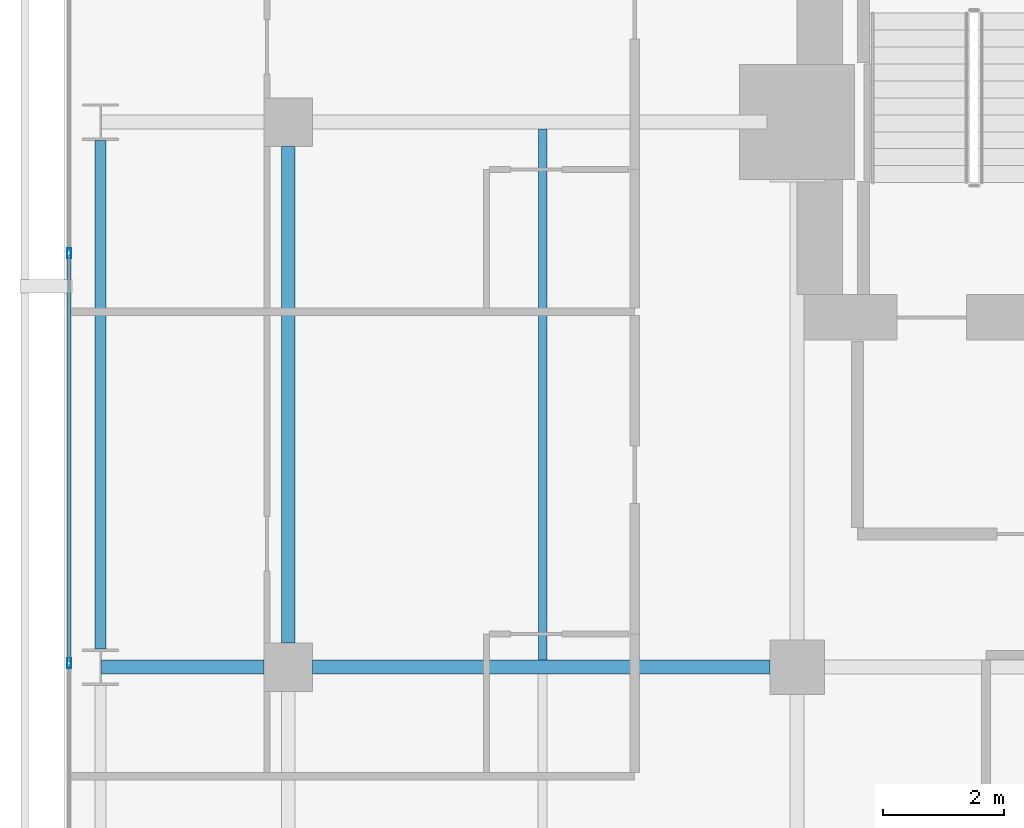
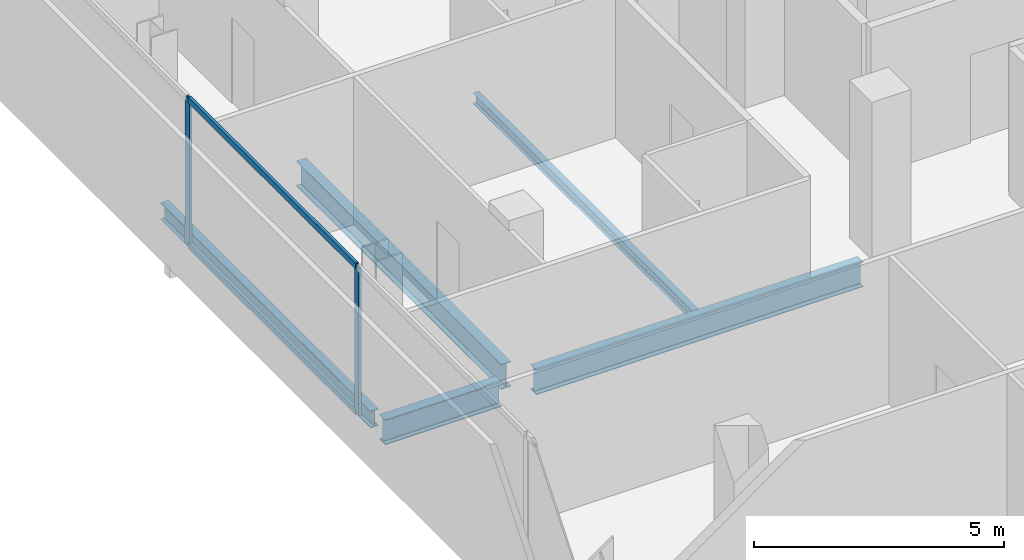
# One storey, part 18 of 33: 5 beams, 4 members, 1 element without a shape of its own.
"""IFC4 building model written with IfcOpenShell, lengths in metres."""

from ifc_helpers import new_model, si_unit, direction, frame, origin, origin_2d, place, context, subcontext, project, spatial, hollow_rectangle, i_section, extrude, material, layer, layer_set, material_profile, profile_set, type_object, element, aggregate, save


model = new_model("IFC4")

# Units and contexts
model_context = context("Model", 3, precision=1e-05, world=origin(), true_north=direction((0.0, 1.0)))
body_context = subcontext(model_context, "Body", "Model", "MODEL_VIEW")
ifc_project = project(units=[si_unit("LENGTHUNIT", "METRE"), si_unit("AREAUNIT", "SQUARE_METRE"), si_unit("VOLUMEUNIT", "CUBIC_METRE"), si_unit("PLANEANGLEUNIT", "RADIAN"), si_unit("MASSUNIT", "GRAM", prefix="KILO")], contexts=[model_context])

# Site, building, storey
site_placement = place(None, origin())
site = spatial("IfcSite", under=ifc_project, at=site_placement, CompositionType="ELEMENT")
building_placement = place(site_placement, origin())
building = spatial("IfcBuilding", under=site, at=building_placement, Name="Maruvema Waterfront Hotel and Observation Tower", CompositionType="ELEMENT")
storey_placement = place(building_placement, frame((0.0, 0.0, 138.949951171875)))
storey = spatial("IfcBuildingStorey", under=building, at=storey_placement, Name="L33", CompositionType="ELEMENT", Elevation=138.949951171875)

# Curtain wall, members
ifc_material_1 = material(Name="Anodised bronze aluminium and solar-control low-E IGU", Category="aluminium")
ifc_layer = layer(ifc_material_1, 0.159912109375, Name="Zone 2 Amber Inner Thermal Curtain Wall System CW-03")
ifc_layer_set = layer_set([ifc_layer], Name="Anodised bronze aluminium and solar-control low-E IGU")
curtain_wall_type = type_object("IfcCurtainWallType", Name="Zone 2 Amber Inner Thermal Curtain Wall System CW-03", PredefinedType="USERDEFINED", material=ifc_layer_set)
curtain_wall_placement = place(storey_placement, origin())
curtain_wall = element("IfcCurtainWall", 1, at=curtain_wall_placement, inside=storey, type_object=curtain_wall_type, Name="L33 Curtain Wall CW-L33-W", ObjectType="UNITISED CURTAIN WALL", PredefinedType="USERDEFINED")
ifc_material_2 = material(Name="Anodised architectural bronze aluminium", Category="aluminium")
ifc_material_profile_1 = material_profile(ifc_material_2, hollow_rectangle(XDim=0.070068359375, YDim=0.14990234375, WallThickness=0.00390625, at=origin_2d()), Name="ALU-T70x150")
ifc_profile_set_1 = profile_set([ifc_material_profile_1], Name="Anodised architectural bronze aluminium")
member_type_1 = type_object("IfcMemberType", Name="Curtain Wall Horizontal Transom ALU-T70x150", PredefinedType="USERDEFINED", material=ifc_profile_set_1)
member_1_placement = place(storey_placement, frame((13.179931640625, 42.80322265625, 0.030029296875), z_axis=(0.0, -1.0, 0.0), x_axis=(1.0, 0.0, 0.0)))
member_1 = element("IfcMember", 2, at=member_1_placement, type_object=member_type_1, Name="CW-03 transom 2.1", ObjectType="TRANSOM", PredefinedType="USERDEFINED", context=body_context, shape_type="SweptSolid", body=[
    extrude(hollow_rectangle(XDim=0.070068359375, YDim=0.14990234375, WallThickness=0.00390625, at=origin_2d()), origin(), (0.0, 0.0, 1.0), 6.70654296875),
])
member_2_placement = place(storey_placement, frame((13.179931640625, 42.80322265625, 3.580078125), z_axis=(0.0, -1.0, 0.0), x_axis=(1.0, 0.0, 0.0)))
member_2 = element("IfcMember", 3, at=member_2_placement, type_object=member_type_1, Name="CW-03 transom 2.2", ObjectType="TRANSOM", PredefinedType="USERDEFINED", context=body_context, shape_type="SweptSolid", body=[
    extrude(hollow_rectangle(XDim=0.070068359375, YDim=0.14990234375, WallThickness=0.00390625, at=origin_2d()), origin(), (0.0, 0.0, 1.0), 6.70654296875),
])
ifc_material_3 = material(Name="Anodised architectural bronze aluminium", Category="aluminium")
ifc_material_profile_2 = material_profile(ifc_material_3, hollow_rectangle(XDim=0.06494140625, YDim=0.1650390625, WallThickness=0.00390625, at=origin_2d()), Name="ALU-M65x165")
ifc_profile_set_2 = profile_set([ifc_material_profile_2], Name="Anodised architectural bronze aluminium")
member_type_2 = type_object("IfcMemberType", Name="Curtain Wall Primary Mullion ALU-M65x165", PredefinedType="MULLION", material=ifc_profile_set_2)
member_3_placement = place(storey_placement, frame((13.179931640625, 42.833251953125, 0.0), z_axis=(0.0, 0.0, 1.0), x_axis=(1.0, 0.0, 0.0)))
member_3 = element("IfcMember", 4, at=member_3_placement, type_object=member_type_2, Name="CW-03 mullion 2", PredefinedType="MULLION", context=body_context, shape_type="SweptSolid", body=[
    extrude(hollow_rectangle(XDim=0.06494140625, YDim=0.1650390625, WallThickness=0.00390625, at=origin_2d()), origin(), (0.0, 0.0, 1.0), 3.610107421875),
])
member_4_placement = place(storey_placement, frame((13.179931640625, 36.066650390625, 0.0), z_axis=(0.0, 0.0, 1.0), x_axis=(1.0, 0.0, 0.0)))
member_4 = element("IfcMember", 5, at=member_4_placement, type_object=member_type_2, Name="CW-03 mullion 3", PredefinedType="MULLION", context=body_context, shape_type="SweptSolid", body=[
    extrude(hollow_rectangle(XDim=0.06494140625, YDim=0.1650390625, WallThickness=0.00390625, at=origin_2d()), origin(), (0.0, 0.0, 1.0), 3.610107421875),
])
aggregate(curtain_wall, [member_3, member_4, member_1, member_2])

# Beams
ifc_material_4 = material(Name="Steel ASTM A572 Grade 50", Category="steel")
ifc_material_profile_3 = material_profile(ifc_material_4, i_section(OverallWidth=0.180908203125, OverallDepth=0.4169921875, WebThickness=0.010986328125, FlangeThickness=0.018310546875, FilletRadius=0.014892578125, at=origin_2d()), Name="W410x85.0")
ifc_profile_set_3 = profile_set([ifc_material_profile_3], Name="Steel ASTM A572 Grade 50")
beam_type_1 = type_object("IfcBeamType", Name="Perimeter Spandrel Beam W410x85.0", PredefinedType="SPANDREL", material=ifc_profile_set_3)
beam_1_placement = place(storey_placement, frame((13.699951171875, 36.300048828125, -0.448486328125), z_axis=(0.0, 1.0, 0.0), x_axis=(-1.0, 0.0, 0.0)))
element("IfcBeam", 6, at=beam_1_placement, inside=storey, type_object=beam_type_1, Name="L33 Floor Girder NS-04", PredefinedType="SPANDREL", context=body_context, shape_type="SweptSolid", body=[
    extrude(i_section(OverallWidth=0.180908203125, OverallDepth=0.4169921875, WebThickness=0.010986328125, FlangeThickness=0.018310546875, FilletRadius=0.014892578125, at=origin_2d()), origin(), (0.0, 0.0, 1.0), 8.39990234375),
])
ifc_material_5 = material(Name="Steel ASTM A572 Grade 50", Category="steel")
ifc_material_profile_4 = material_profile(ifc_material_5, i_section(OverallWidth=0.22900390625, OverallDepth=0.612060546875, WebThickness=0.011962890625, FlangeThickness=0.01953125, FilletRadius=0.01806640625, at=origin_2d()), Name="W610x125.0")
ifc_profile_set_4 = profile_set([ifc_material_profile_4], Name="Steel ASTM A572 Grade 50")
beam_type_2 = type_object("IfcBeamType", Name="Primary Floor Girder W610x125.0", PredefinedType="BEAM", material=ifc_profile_set_4)
beam_2_placement = place(storey_placement, frame((13.71240234375, 36.0, -0.5458984375), z_axis=(1.0, 0.0, 0.0), x_axis=(0.0, 1.0, 0.0)))
element("IfcBeam", 7, at=beam_2_placement, inside=storey, type_object=beam_type_2, Name="L33 Floor Girder EW-23", PredefinedType="BEAM", context=body_context, shape_type="SweptSolid", body=[
    extrude(i_section(OverallWidth=0.22900390625, OverallDepth=0.612060546875, WebThickness=0.011962890625, FlangeThickness=0.01953125, FilletRadius=0.01806640625, at=origin_2d()), origin(), (0.0, 0.0, 1.0), 2.6875),
])
beam_3_placement = place(storey_placement, frame((17.199951171875, 36.0, -0.5458984375), z_axis=(1.0, 0.0, 0.0), x_axis=(0.0, 1.0, 0.0)))
element("IfcBeam", 8, at=beam_3_placement, inside=storey, type_object=beam_type_2, Name="L33 Floor Girder EW-24", PredefinedType="BEAM", context=body_context, shape_type="SweptSolid", body=[
    extrude(i_section(OverallWidth=0.22900390625, OverallDepth=0.612060546875, WebThickness=0.011962890625, FlangeThickness=0.01953125, FilletRadius=0.01806640625, at=origin_2d()), origin(), (0.0, 0.0, 1.0), 7.550048828125),
])
beam_4_placement = place(storey_placement, frame((16.800048828125, 36.39990234375, -0.5458984375), z_axis=(0.0, 1.0, 0.0), x_axis=(-1.0, 0.0, 0.0)))
element("IfcBeam", 9, at=beam_4_placement, inside=storey, type_object=beam_type_2, Name="L33 Floor Girder NS-08", PredefinedType="BEAM", context=body_context, shape_type="SweptSolid", body=[
    extrude(i_section(OverallWidth=0.22900390625, OverallDepth=0.612060546875, WebThickness=0.011962890625, FlangeThickness=0.01953125, FilletRadius=0.01806640625, at=origin_2d()), origin(), (0.0, 0.0, 1.0), 8.2001953125),
])
ifc_material_6 = material(Name="Steel ASTM A572 Grade 50", Category="steel")
ifc_material_profile_5 = material_profile(ifc_material_6, i_section(OverallWidth=0.14599609375, OverallDepth=0.258056640625, WebThickness=0.006103515625, FlangeThickness=0.009033203125, FilletRadius=0.012939453125, at=origin_2d()), Name="W250x32.7")
ifc_profile_set_5 = profile_set([ifc_material_profile_5], Name="Steel ASTM A572 Grade 50")
beam_type_3 = type_object("IfcBeamType", Name="Secondary Floor Joist W250x32.7", PredefinedType="JOIST", material=ifc_profile_set_5)
beam_5_placement = place(storey_placement, frame((21.0, 36.114501953125, -0.368896484375), z_axis=(0.0, 1.0, 0.0), x_axis=(-1.0, 0.0, 0.0)))
element("IfcBeam", 10, at=beam_5_placement, inside=storey, type_object=beam_type_3, Name="L33 Secondary Floor Joist JS-04", PredefinedType="JOIST", context=body_context, shape_type="SweptSolid", body=[
    extrude(i_section(OverallWidth=0.14599609375, OverallDepth=0.258056640625, WebThickness=0.006103515625, FlangeThickness=0.009033203125, FilletRadius=0.012939453125, at=origin_2d()), origin(), (0.0, 0.0, 1.0), 8.77099609375),
])

save(model, "model.ifc")
